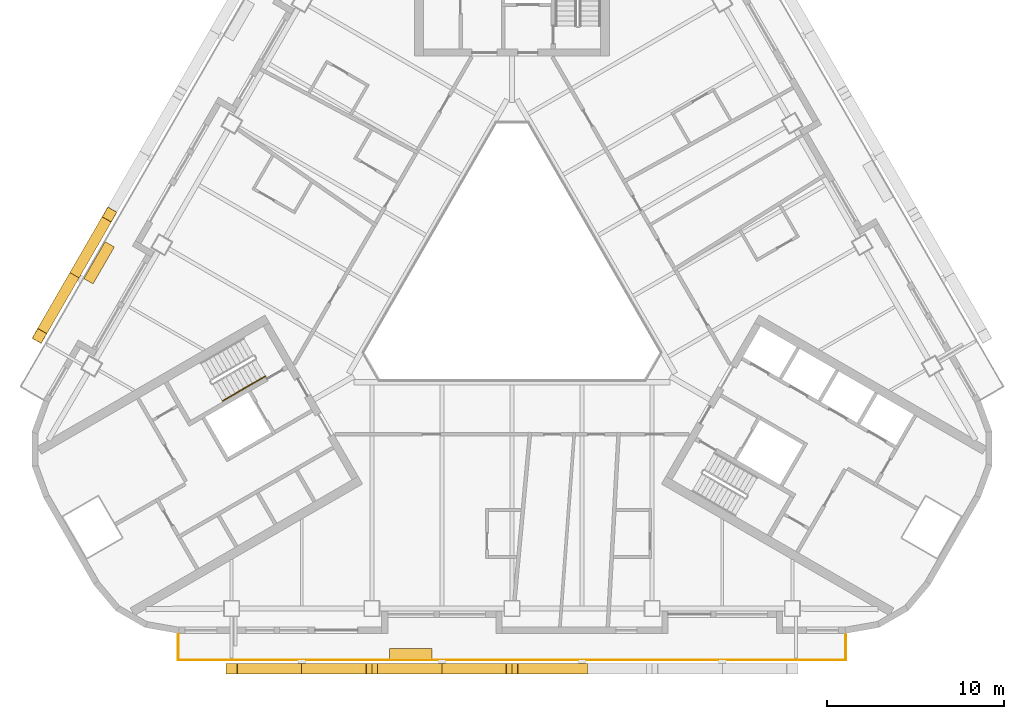
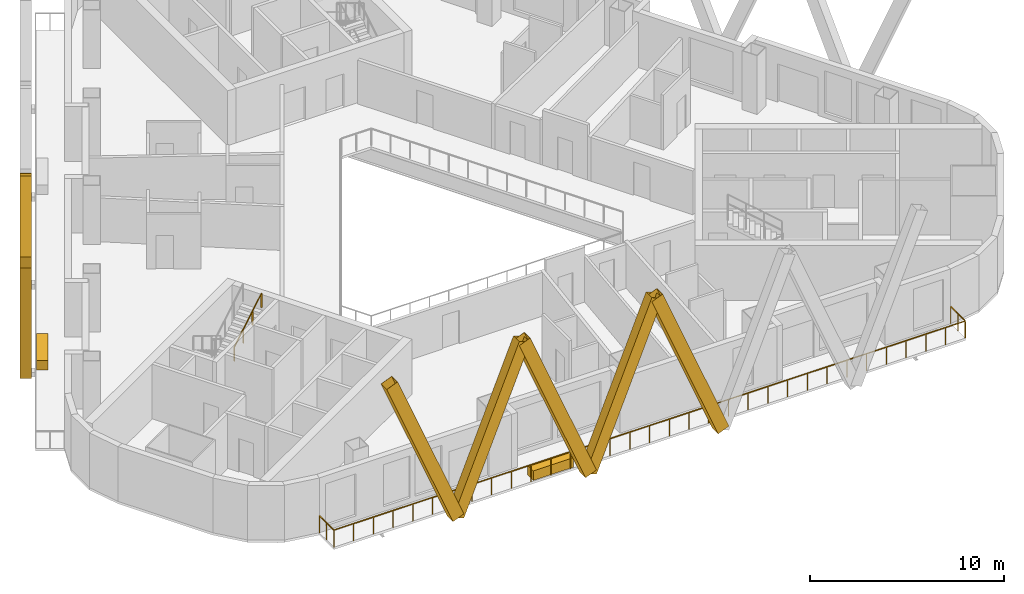
# One storey, part 8 of 13: 7 shading devices, 2 coverings, 2 railings.
"""IFC4 building model written with IfcOpenShell, lengths in metres."""

from ifc_helpers import new_model, si_unit, direction, frame, origin, origin_2d, place, context, subcontext, project, spatial, rectangle, hollow_rectangle, circle, extrude, material, material_profile, profile_set, type_object, element, save


model = new_model("IFC4")

# Units and contexts
model_context = context("Model", 3, precision=1e-05, world=origin(), true_north=direction((0.0, 1.0)))
body_context = subcontext(model_context, "Body", "Model", "MODEL_VIEW")
ifc_project = project(units=[si_unit("LENGTHUNIT", "METRE"), si_unit("AREAUNIT", "SQUARE_METRE"), si_unit("VOLUMEUNIT", "CUBIC_METRE"), si_unit("PLANEANGLEUNIT", "RADIAN"), si_unit("MASSUNIT", "GRAM", prefix="KILO")], contexts=[model_context])

# Site, building, storey
site_placement = place(None, origin())
site = spatial("IfcSite", under=ifc_project, at=site_placement, CompositionType="ELEMENT")
building_placement = place(site_placement, origin())
building = spatial("IfcBuilding", under=site, at=building_placement, Name="Apuvela Tower Hotel", CompositionType="ELEMENT")
storey_placement = place(building_placement, frame((0.0, 0.0, 127.89990234375)))
storey = spatial("IfcBuildingStorey", under=building, at=storey_placement, Name="L30", CompositionType="ELEMENT", Elevation=127.89990234375)

# Railing
ifc_material_1 = material(Name="Stainless steel 316 handrail", Category="steel")
railing_type_1 = type_object("IfcRailingType", Name="COR-HANDRAIL-900", PredefinedType="HANDRAIL", material=ifc_material_1)
railing_1_placement = place(storey_placement, frame((-16.31884765625, -6.534912109375, 2.018310546875)))
element("IfcRailing", 1, at=railing_1_placement, inside=storey, type_object=railing_type_1, Name="L30 ST2 stair handrail 2", PredefinedType="HANDRAIL", context=body_context, shape_type="SweptSolid", body=[
    extrude(circle(Radius=0.02392578125, at=origin_2d()), frame((0.0, 0.0, 0.8759765625), z_axis=(0.742390482028, 0.42860119049, 0.514934356695), x_axis=(-0.49998411664, 0.866034573852, 0.0)), (0.0, 0.0, 1.0), 3.26611328125),
    extrude(rectangle(XDim=0.0419921875, YDim=0.0419921875, at=origin_2d()), origin(), (0.0, 0.0, 1.0), 0.851806640625),
    extrude(rectangle(XDim=0.0419921875, YDim=0.0419921875, at=origin_2d()), frame((0.808349609375, 0.466552734375, 0.560546875)), (0.0, 0.0, 1.0), 0.851806640625),
    extrude(rectangle(XDim=0.0419921875, YDim=0.0419921875, at=origin_2d()), frame((1.616455078125, 0.933349609375, 1.121337890625)), (0.0, 0.0, 1.0), 0.851806640625),
    extrude(rectangle(XDim=0.0419921875, YDim=0.0419921875, at=origin_2d()), frame((2.4248046875, 1.39990234375, 1.681884765625)), (0.0, 0.0, 1.0), 0.851806640625),
])

# Shading devices
ifc_material_2 = material(Name="Aluminium 6063-T6, black anodised", Category="aluminium")
ifc_material_profile = material_profile(ifc_material_2, hollow_rectangle(XDim=0.60009765625, YDim=0.699951171875, WallThickness=0.011962890625, at=origin_2d()), Name="AL BOX 700x600x12")
ifc_profile_set = profile_set([ifc_material_profile], Name="Aluminium 6063-T6, black anodised")
shading_device_type = type_object("IfcShadingDeviceType", Name="ENV-FIN-700x600", PredefinedType="USERDEFINED", material=ifc_profile_set)
for number, where, z_axis, x_axis, name in (
    (2, (-11.85009765625, -21.6298828125, -0.099853515625), (-0.377142867317, 0.0, 0.926155093725), (0.0, -1.0, 0.0), "Lattice fin S185"),
    (3, (-11.85009765625, -21.6298828125, -0.099853515625), (0.377162862065, 0.0, 0.926146951341), (0.0, 1.0, 0.0), "Lattice fin S186"),
    (4, (-3.949951171875, -21.6298828125, -0.099853515625), (-0.377142867317, 0.0, 0.926155093725), (0.0, -1.0, 0.0), "Lattice fin S187"),
    (5, (-3.949951171875, -21.6298828125, -0.099853515625), (0.377142867317, 0.0, 0.926155093725), (0.0, 1.0, 0.0), "Lattice fin S188"),
    (6, (3.949951171875, -21.6298828125, -0.099853515625), (-0.377142867317, 0.0, 0.926155093725), (0.0, -1.0, 0.0), "Lattice fin S189"),
    (7, (-24.656982421875, 0.552490234375, -0.099853515625), (0.188559367267, 0.32662799532, 0.926153074653), (-0.866047669374, 0.499961432884, 0.0), "Lattice fin NW287"),
    (8, (-24.656982421875, 0.552490234375, -0.099853515625), (-0.188583284704, -0.326605735721, 0.926156054952), (0.866005453737, -0.500034552904, 0.0), "Lattice fin NW288"),
):
    element("IfcShadingDevice", number, at=place(storey_placement, frame(where, z_axis=z_axis, x_axis=x_axis)), inside=storey, type_object=shading_device_type, Name=name, ObjectType="FIN", PredefinedType="USERDEFINED", context=body_context, shape_type="SweptSolid", body=[
        extrude(hollow_rectangle(XDim=0.60009765625, YDim=0.699951171875, WallThickness=0.011962890625, at=origin_2d()), origin(), (0.0, 0.0, 1.0), 10.473388671875),
    ])

# Railing
ifc_material_3 = material(Name="Stainless steel 316 rail with laminated glass infill", Category="steel")
railing_type_2 = type_object("IfcRailingType", Name="ENV-GUARD-1100", PredefinedType="GUARDRAIL", material=ifc_material_3)
railing_2_placement = place(storey_placement, frame((-18.81591796875, -19.6298828125, 0.0)))
element("IfcRailing", 9, at=railing_2_placement, inside=storey, type_object=railing_type_2, Name="Balcony guard S L30", PredefinedType="GUARDRAIL", context=body_context, shape_type="SweptSolid", body=[
    extrude(rectangle(XDim=0.050048828125, YDim=0.050048828125, at=origin_2d()), frame((0.0, 0.0, 1.0751953125), z_axis=(0.0, -1.0, 0.0), x_axis=(1.0, 0.0, 0.0)), (0.0, 0.0, 1.0), 1.5),
    extrude(rectangle(XDim=0.050048828125, YDim=0.050048828125, at=origin_2d()), frame((0.0, -1.5, 1.0751953125), z_axis=(1.0, 0.0, 0.0), x_axis=(0.0, 1.0, 0.0)), (0.0, 0.0, 1.0), 37.6318359375),
    extrude(rectangle(XDim=0.050048828125, YDim=0.050048828125, at=origin_2d()), frame((37.6318359375, -1.5, 1.0751953125), z_axis=(0.0, 1.0, 0.0), x_axis=(-1.0, 0.0, 0.0)), (0.0, 0.0, 1.0), 1.5),
    extrude(rectangle(XDim=0.0400390625, YDim=0.0400390625, at=origin_2d()), origin(), (0.0, 0.0, 1.0), 1.050048828125),
    extrude(rectangle(XDim=0.0400390625, YDim=0.0400390625, at=origin_2d()), frame((0.0, -0.75, 0.0)), (0.0, 0.0, 1.0), 1.050048828125),
    extrude(rectangle(XDim=0.0400390625, YDim=0.0400390625, at=origin_2d()), frame((0.0, -1.5, 0.0)), (0.0, 0.0, 1.0), 1.050048828125),
    extrude(rectangle(XDim=0.0400390625, YDim=0.0400390625, at=origin_2d()), frame((1.176025390625, -1.5, 0.0)), (0.0, 0.0, 1.0), 1.050048828125),
    extrude(rectangle(XDim=0.0400390625, YDim=0.0400390625, at=origin_2d()), frame((2.35205078125, -1.5, 0.0)), (0.0, 0.0, 1.0), 1.050048828125),
    extrude(rectangle(XDim=0.0400390625, YDim=0.0400390625, at=origin_2d()), frame((3.528076171875, -1.5, 0.0)), (0.0, 0.0, 1.0), 1.050048828125),
    extrude(rectangle(XDim=0.0400390625, YDim=0.0400390625, at=origin_2d()), frame((4.7041015625, -1.5, 0.0)), (0.0, 0.0, 1.0), 1.050048828125),
    extrude(rectangle(XDim=0.0400390625, YDim=0.0400390625, at=origin_2d()), frame((5.8798828125, -1.5, 0.0)), (0.0, 0.0, 1.0), 1.050048828125),
    extrude(rectangle(XDim=0.0400390625, YDim=0.0400390625, at=origin_2d()), frame((7.055908203125, -1.5, 0.0)), (0.0, 0.0, 1.0), 1.050048828125),
    extrude(rectangle(XDim=0.0400390625, YDim=0.0400390625, at=origin_2d()), frame((8.23193359375, -1.5, 0.0)), (0.0, 0.0, 1.0), 1.050048828125),
    extrude(rectangle(XDim=0.0400390625, YDim=0.0400390625, at=origin_2d()), frame((9.407958984375, -1.5, 0.0)), (0.0, 0.0, 1.0), 1.050048828125),
    extrude(rectangle(XDim=0.0400390625, YDim=0.0400390625, at=origin_2d()), frame((10.583984375, -1.5, 0.0)), (0.0, 0.0, 1.0), 1.050048828125),
    extrude(rectangle(XDim=0.0400390625, YDim=0.0400390625, at=origin_2d()), frame((11.760009765625, -1.5, 0.0)), (0.0, 0.0, 1.0), 1.050048828125),
    extrude(rectangle(XDim=0.0400390625, YDim=0.0400390625, at=origin_2d()), frame((12.93603515625, -1.5, 0.0)), (0.0, 0.0, 1.0), 1.050048828125),
    extrude(rectangle(XDim=0.0400390625, YDim=0.0400390625, at=origin_2d()), frame((14.11181640625, -1.5, 0.0)), (0.0, 0.0, 1.0), 1.050048828125),
    extrude(rectangle(XDim=0.0400390625, YDim=0.0400390625, at=origin_2d()), frame((15.287841796875, -1.5, 0.0)), (0.0, 0.0, 1.0), 1.050048828125),
    extrude(rectangle(XDim=0.0400390625, YDim=0.0400390625, at=origin_2d()), frame((16.4638671875, -1.5, 0.0)), (0.0, 0.0, 1.0), 1.050048828125),
    extrude(rectangle(XDim=0.0400390625, YDim=0.0400390625, at=origin_2d()), frame((17.639892578125, -1.5, 0.0)), (0.0, 0.0, 1.0), 1.050048828125),
    extrude(rectangle(XDim=0.0400390625, YDim=0.0400390625, at=origin_2d()), frame((18.81591796875, -1.5, 0.0)), (0.0, 0.0, 1.0), 1.050048828125),
    extrude(rectangle(XDim=0.0400390625, YDim=0.0400390625, at=origin_2d()), frame((19.991943359375, -1.5, 0.0)), (0.0, 0.0, 1.0), 1.050048828125),
    extrude(rectangle(XDim=0.0400390625, YDim=0.0400390625, at=origin_2d()), frame((21.16796875, -1.5, 0.0)), (0.0, 0.0, 1.0), 1.050048828125),
    extrude(rectangle(XDim=0.0400390625, YDim=0.0400390625, at=origin_2d()), frame((22.343994140625, -1.5, 0.0)), (0.0, 0.0, 1.0), 1.050048828125),
    extrude(rectangle(XDim=0.0400390625, YDim=0.0400390625, at=origin_2d()), frame((23.52001953125, -1.5, 0.0)), (0.0, 0.0, 1.0), 1.050048828125),
    extrude(rectangle(XDim=0.0400390625, YDim=0.0400390625, at=origin_2d()), frame((24.69580078125, -1.5, 0.0)), (0.0, 0.0, 1.0), 1.050048828125),
    extrude(rectangle(XDim=0.0400390625, YDim=0.0400390625, at=origin_2d()), frame((25.871826171875, -1.5, 0.0)), (0.0, 0.0, 1.0), 1.050048828125),
    extrude(rectangle(XDim=0.0400390625, YDim=0.0400390625, at=origin_2d()), frame((27.0478515625, -1.5, 0.0)), (0.0, 0.0, 1.0), 1.050048828125),
    extrude(rectangle(XDim=0.0400390625, YDim=0.0400390625, at=origin_2d()), frame((28.223876953125, -1.5, 0.0)), (0.0, 0.0, 1.0), 1.050048828125),
    extrude(rectangle(XDim=0.0400390625, YDim=0.0400390625, at=origin_2d()), frame((29.39990234375, -1.5, 0.0)), (0.0, 0.0, 1.0), 1.050048828125),
    extrude(rectangle(XDim=0.0400390625, YDim=0.0400390625, at=origin_2d()), frame((30.575927734375, -1.5, 0.0)), (0.0, 0.0, 1.0), 1.050048828125),
    extrude(rectangle(XDim=0.0400390625, YDim=0.0400390625, at=origin_2d()), frame((31.751953125, -1.5, 0.0)), (0.0, 0.0, 1.0), 1.050048828125),
    extrude(rectangle(XDim=0.0400390625, YDim=0.0400390625, at=origin_2d()), frame((32.927734375, -1.5, 0.0)), (0.0, 0.0, 1.0), 1.050048828125),
    extrude(rectangle(XDim=0.0400390625, YDim=0.0400390625, at=origin_2d()), frame((34.103759765625, -1.5, 0.0)), (0.0, 0.0, 1.0), 1.050048828125),
    extrude(rectangle(XDim=0.0400390625, YDim=0.0400390625, at=origin_2d()), frame((35.27978515625, -1.5, 0.0)), (0.0, 0.0, 1.0), 1.050048828125),
    extrude(rectangle(XDim=0.0400390625, YDim=0.0400390625, at=origin_2d()), frame((36.455810546875, -1.5, 0.0)), (0.0, 0.0, 1.0), 1.050048828125),
    extrude(rectangle(XDim=0.0400390625, YDim=0.0400390625, at=origin_2d()), frame((37.6318359375, -1.5, 0.0)), (0.0, 0.0, 1.0), 1.050048828125),
    extrude(rectangle(XDim=0.0400390625, YDim=0.0400390625, at=origin_2d()), frame((37.6318359375, -0.75, 0.0)), (0.0, 0.0, 1.0), 1.050048828125),
    extrude(rectangle(XDim=0.0400390625, YDim=0.0400390625, at=origin_2d()), frame((37.6318359375, 0.0, 0.0)), (0.0, 0.0, 1.0), 1.050048828125),
])

# Coverings
ifc_material_4 = material(Name="Planting substrate and soil, planted")
covering_type = type_object("IfcCoveringType", Name="ENV-PLANTER-2400x600", PredefinedType="USERDEFINED", material=ifc_material_4)
for number, where, z_axis, x_axis, name in (
    (10, (-5.69970703125, -20.780029296875, 0.0), (0.0, 0.0, 1.0), (1.0, 0.0, 0.0), "Planter S1"),
    (11, (-23.27099609375, 1.25341796875, 0.0), (0.0, 0.0, 1.0), (-0.5, -0.866025403784, 0.0), "Planter NW4"),
):
    element("IfcCovering", number, at=place(storey_placement, frame(where, z_axis=z_axis, x_axis=x_axis)), inside=storey, type_object=covering_type, Name=name, ObjectType="PLANTER", PredefinedType="USERDEFINED", context=body_context, shape_type="SweptSolid", body=[
        extrude(rectangle(XDim=2.39990234375, YDim=0.60009765625, at=origin_2d()), origin(), (0.0, 0.0, 1.0), 0.60009765625),
    ])

save(model, "model.ifc")
